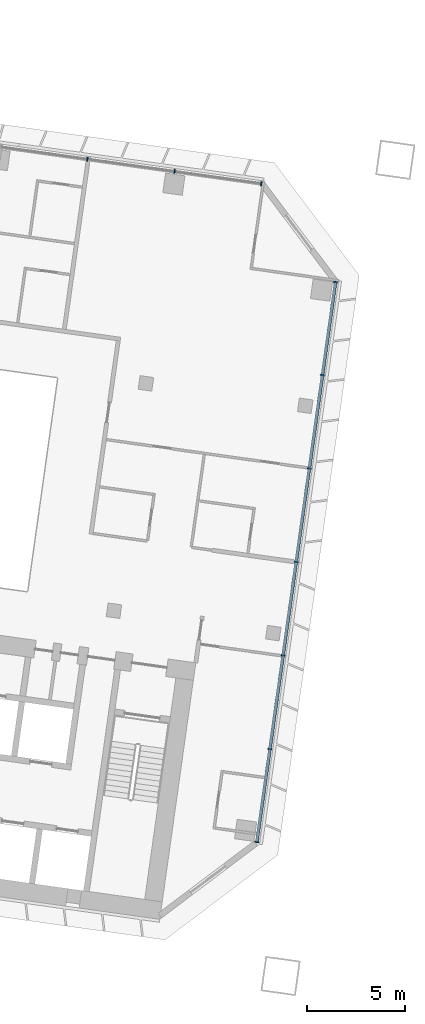
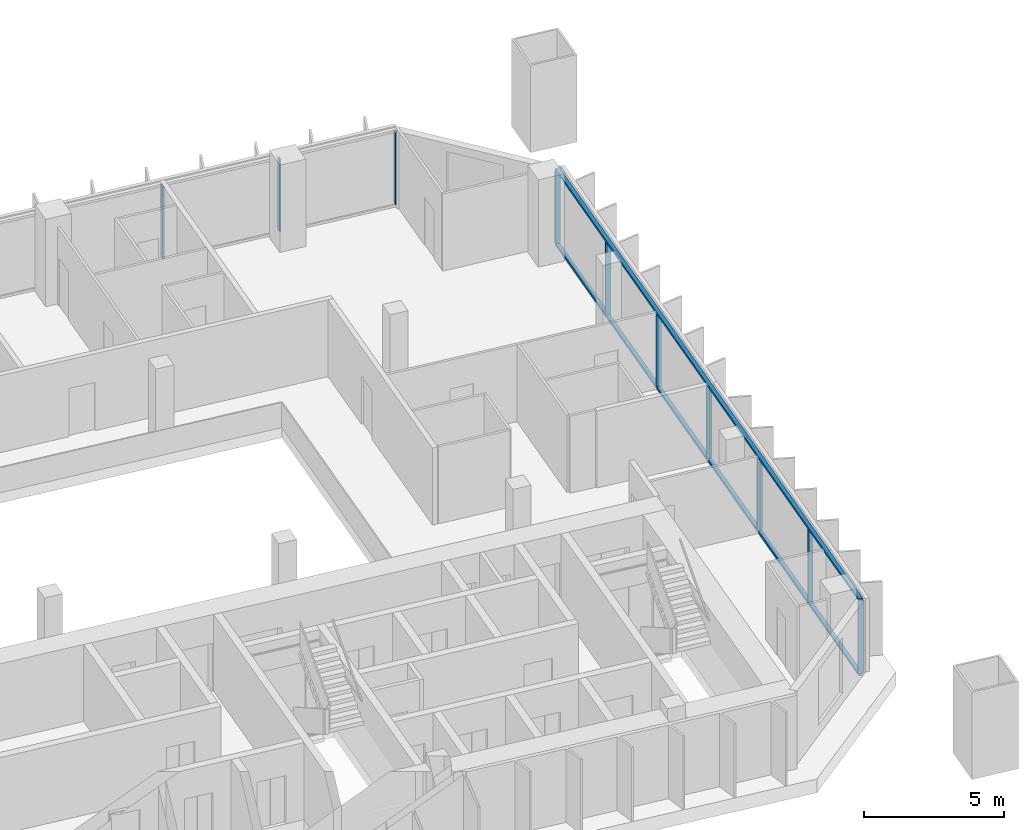
# One storey, part 6 of 25: 12 members, 2 elements without a shape of their own.
"""IFC4 building model written with IfcOpenShell, lengths in metres."""

from ifc_helpers import new_model, si_unit, direction, frame, origin, origin_2d, place, context, subcontext, project, spatial, rectangle, extrude, material, material_profile, profile_set, type_object, element, aggregate, save


model = new_model("IFC4")

# Units and contexts
model_context = context("Model", 3, precision=1e-05, world=origin(), true_north=direction((0.0, 1.0)))
body_context = subcontext(model_context, "Body", "Model", "MODEL_VIEW")
ifc_project = project(units=[si_unit("LENGTHUNIT", "METRE"), si_unit("AREAUNIT", "SQUARE_METRE"), si_unit("VOLUMEUNIT", "CUBIC_METRE"), si_unit("PLANEANGLEUNIT", "RADIAN"), si_unit("MASSUNIT", "GRAM", prefix="KILO")], contexts=[model_context])

# Site, building, storey
site_placement = place(None, origin())
site = spatial("IfcSite", under=ifc_project, at=site_placement, CompositionType="ELEMENT")
building_placement = place(site_placement, origin())
building = spatial("IfcBuilding", under=site, at=building_placement, Name="Mirante Cascada Hotel Towers", CompositionType="ELEMENT")
storey_placement = place(building_placement, frame((0.0, 0.0, 58.5)))
storey = spatial("IfcBuildingStorey", under=building, at=storey_placement, Name="L11", CompositionType="ELEMENT", Elevation=58.5)

# Curtain wall, members
ifc_material_1 = material(Name="Aluminium mullion and transom frame with clear laminated glass", Category="aluminium")
curtain_wall_type_1 = type_object("IfcCurtainWallType", Name="Ribbon curtain wall ECW1", PredefinedType="NOTDEFINED", material=ifc_material_1)
curtain_wall_1_placement = place(storey_placement, origin())
curtain_wall_1 = element("IfcCurtainWall", 1, at=curtain_wall_1_placement, inside=storey, type_object=curtain_wall_type_1, Name="Front ribbon wall T1 L11", PredefinedType="NOTDEFINED")
ifc_material_2 = material(Name="Anodised aluminium extrusion", Category="aluminium")
ifc_material_profile_1 = material_profile(ifc_material_2, rectangle(XDim=0.2, YDim=0.065, at=origin_2d()), Name="ECW1 MULLION 65x200")
ifc_profile_set_1 = profile_set([ifc_material_profile_1], Name="Anodised aluminium extrusion")
member_type_1 = type_object("IfcMemberType", Name="ECW1 mullion 65x200", PredefinedType="MULLION", material=ifc_profile_set_1)
member_1_placement = place(storey_placement, frame((-40.7892, 18.5516, 0.1), z_axis=(0.0, 0.0, 1.0), x_axis=(0.1391731, 0.9902681, 0.0)))
member_1 = element("IfcMember", 2, at=member_1_placement, type_object=member_type_1, Name="ECW1 mullion 13", PredefinedType="MULLION", context=body_context, shape_type="SweptSolid", body=[
    extrude(rectangle(XDim=0.2, YDim=0.065, at=origin_2d()), origin(), (0.0, 0.0, 1.0), 3.15),
])
member_2_placement = place(storey_placement, frame((-36.3417, 17.9265, 0.1), z_axis=(0.0, 0.0, 1.0), x_axis=(0.1391731, 0.9902681, 0.0)))
member_2 = element("IfcMember", 3, at=member_2_placement, type_object=member_type_1, Name="ECW1 mullion 14", PredefinedType="MULLION", context=body_context, shape_type="SweptSolid", body=[
    extrude(rectangle(XDim=0.2, YDim=0.065, at=origin_2d()), origin(), (0.0, 0.0, 1.0), 3.15),
])
member_3_placement = place(storey_placement, frame((-31.9265, 17.306, 0.1), z_axis=(0.0, 0.0, 1.0), x_axis=(0.1391731, 0.9902681, 0.0)))
member_3 = element("IfcMember", 4, at=member_3_placement, type_object=member_type_1, Name="ECW1 mullion 15", PredefinedType="MULLION", context=body_context, shape_type="SweptSolid", body=[
    extrude(rectangle(XDim=0.2, YDim=0.065, at=origin_2d()), origin(), (0.0, 0.0, 1.0), 3.15),
])
aggregate(curtain_wall_1, [member_1, member_2, member_3])

ifc_material_3 = material(Name="Aluminium mullion and transom frame with clear laminated glass", Category="aluminium")
curtain_wall_type_2 = type_object("IfcCurtainWallType", Name="End ribbon curtain wall ECW2", PredefinedType="NOTDEFINED", material=ifc_material_3)
curtain_wall_2_placement = place(storey_placement, origin())
curtain_wall_2 = element("IfcCurtainWall", 5, at=curtain_wall_2_placement, inside=storey, type_object=curtain_wall_type_2, Name="Inner end wall T1 L11", PredefinedType="NOTDEFINED")
ifc_material_4 = material(Name="Anodised aluminium extrusion", Category="aluminium")
ifc_material_profile_2 = material_profile(ifc_material_4, rectangle(XDim=0.2, YDim=0.065, at=origin_2d()), Name="ECW2 MULLION 65x200")
ifc_profile_set_2 = profile_set([ifc_material_profile_2], Name="Anodised aluminium extrusion")
member_type_2 = type_object("IfcMemberType", Name="ECW2 mullion 65x200", PredefinedType="MULLION", material=ifc_profile_set_2)
member_4_placement = place(storey_placement, frame((-28.1437, 12.2861, 0.1), z_axis=(0.0, 0.0, 1.0), x_axis=(0.9902681, -0.1391731, 0.0)))
member_4 = element("IfcMember", 6, at=member_4_placement, type_object=member_type_2, Name="ECW2 mullion 1", PredefinedType="MULLION", context=body_context, shape_type="SweptSolid", body=[
    extrude(rectangle(XDim=0.2, YDim=0.065, at=origin_2d()), origin(), (0.0, 0.0, 1.0), 3.15),
])
member_5_placement = place(storey_placement, frame((-28.809, 7.5524, 0.1), z_axis=(0.0, 0.0, 1.0), x_axis=(0.9902681, -0.1391731, 0.0)))
member_5 = element("IfcMember", 7, at=member_5_placement, type_object=member_type_2, Name="ECW2 mullion 2", PredefinedType="MULLION", context=body_context, shape_type="SweptSolid", body=[
    extrude(rectangle(XDim=0.2, YDim=0.065, at=origin_2d()), origin(), (0.0, 0.0, 1.0), 3.15),
])
member_6_placement = place(storey_placement, frame((-29.4788, 2.7867, 0.1), z_axis=(0.0, 0.0, 1.0), x_axis=(0.9902681, -0.1391731, 0.0)))
member_6 = element("IfcMember", 8, at=member_6_placement, type_object=member_type_2, Name="ECW2 mullion 3", PredefinedType="MULLION", context=body_context, shape_type="SweptSolid", body=[
    extrude(rectangle(XDim=0.2, YDim=0.065, at=origin_2d()), origin(), (0.0, 0.0, 1.0), 3.15),
])
member_7_placement = place(storey_placement, frame((-30.1485, -1.9791, 0.1), z_axis=(0.0, 0.0, 1.0), x_axis=(0.9902681, -0.1391731, 0.0)))
member_7 = element("IfcMember", 9, at=member_7_placement, type_object=member_type_2, Name="ECW2 mullion 4", PredefinedType="MULLION", context=body_context, shape_type="SweptSolid", body=[
    extrude(rectangle(XDim=0.2, YDim=0.065, at=origin_2d()), origin(), (0.0, 0.0, 1.0), 3.15),
])
member_8_placement = place(storey_placement, frame((-30.8183, -6.7449, 0.1), z_axis=(0.0, 0.0, 1.0), x_axis=(0.9902681, -0.1391731, 0.0)))
member_8 = element("IfcMember", 10, at=member_8_placement, type_object=member_type_2, Name="ECW2 mullion 5", PredefinedType="MULLION", context=body_context, shape_type="SweptSolid", body=[
    extrude(rectangle(XDim=0.2, YDim=0.065, at=origin_2d()), origin(), (0.0, 0.0, 1.0), 3.15),
])
member_9_placement = place(storey_placement, frame((-31.4881, -11.5107, 0.1), z_axis=(0.0, 0.0, 1.0), x_axis=(0.9902681, -0.1391731, 0.0)))
member_9 = element("IfcMember", 11, at=member_9_placement, type_object=member_type_2, Name="ECW2 mullion 6", PredefinedType="MULLION", context=body_context, shape_type="SweptSolid", body=[
    extrude(rectangle(XDim=0.2, YDim=0.065, at=origin_2d()), origin(), (0.0, 0.0, 1.0), 3.15),
])
member_10_placement = place(storey_placement, frame((-32.1534, -16.2443, 0.1), z_axis=(0.0, 0.0, 1.0), x_axis=(0.9902681, -0.1391731, 0.0)))
member_10 = element("IfcMember", 12, at=member_10_placement, type_object=member_type_2, Name="ECW2 mullion 7", PredefinedType="MULLION", context=body_context, shape_type="SweptSolid", body=[
    extrude(rectangle(XDim=0.2, YDim=0.065, at=origin_2d()), origin(), (0.0, 0.0, 1.0), 3.15),
])
ifc_material_5 = material(Name="Anodised aluminium extrusion", Category="aluminium")
ifc_material_profile_3 = material_profile(ifc_material_5, rectangle(XDim=0.16, YDim=0.1, at=origin_2d()), Name="ECW2 TRANSOM 100x160")
ifc_profile_set_3 = profile_set([ifc_material_profile_3], Name="Anodised aluminium extrusion")
member_type_3 = type_object("IfcMemberType", Name="ECW2 transom 100x160", PredefinedType="USERDEFINED", material=ifc_profile_set_3)
member_11_placement = place(storey_placement, frame((-28.1392, 12.3182, 0.05), z_axis=(-0.1391723, -0.9902682, 0.0), x_axis=(0.9902682, -0.1391723, 0.0)))
member_11 = element("IfcMember", 13, at=member_11_placement, type_object=member_type_3, Name="ECW2 sill transom", ObjectType="TRANSOM", PredefinedType="USERDEFINED", context=body_context, shape_type="SweptSolid", body=[
    extrude(rectangle(XDim=0.16, YDim=0.1, at=origin_2d()), origin(), (0.0, 0.0, 1.0), 28.8757),
])
member_12_placement = place(storey_placement, frame((-28.1392, 12.3182, 3.3), z_axis=(-0.1391723, -0.9902682, 0.0), x_axis=(0.9902682, -0.1391723, 0.0)))
member_12 = element("IfcMember", 14, at=member_12_placement, type_object=member_type_3, Name="ECW2 head transom", ObjectType="TRANSOM", PredefinedType="USERDEFINED", context=body_context, shape_type="SweptSolid", body=[
    extrude(rectangle(XDim=0.16, YDim=0.1, at=origin_2d()), origin(), (0.0, 0.0, 1.0), 28.8757),
])
aggregate(curtain_wall_2, [member_11, member_12, member_4, member_5, member_6, member_7, member_8, member_9, member_10])

save(model, "model.ifc")
